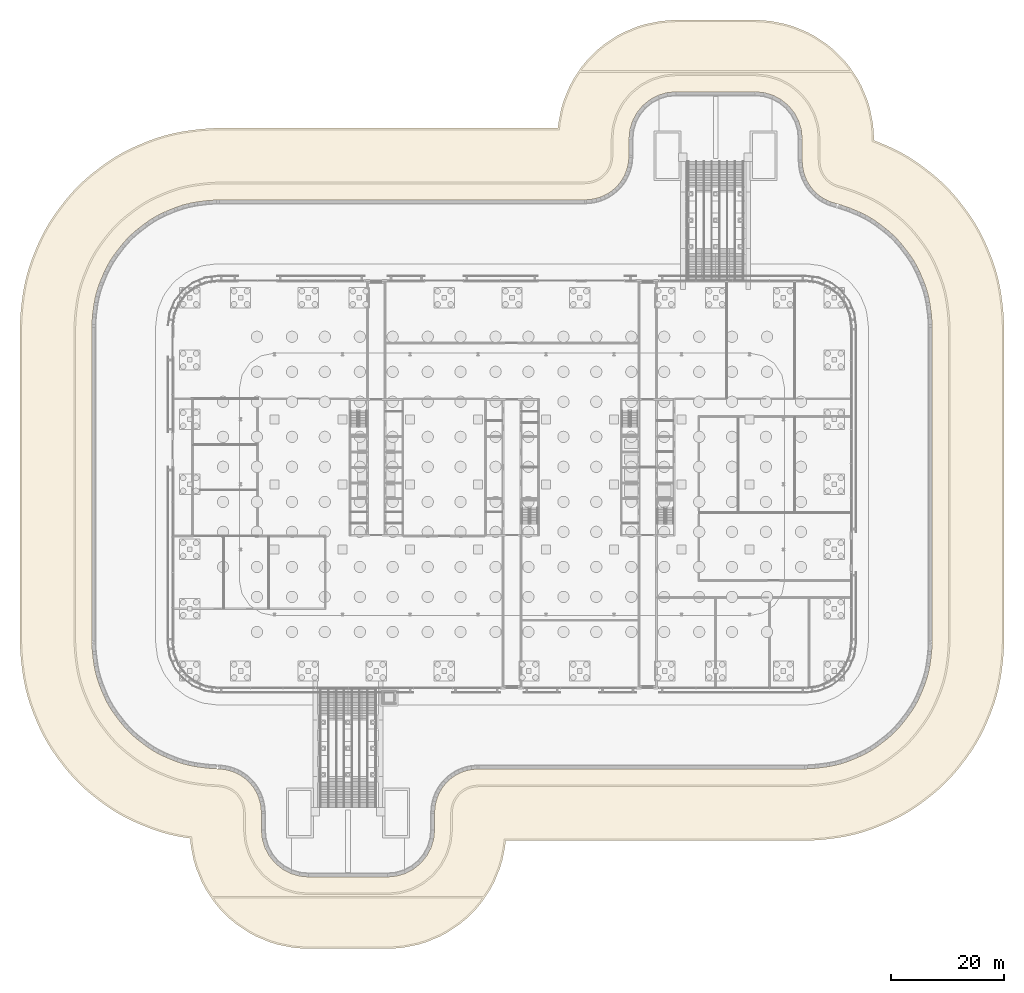
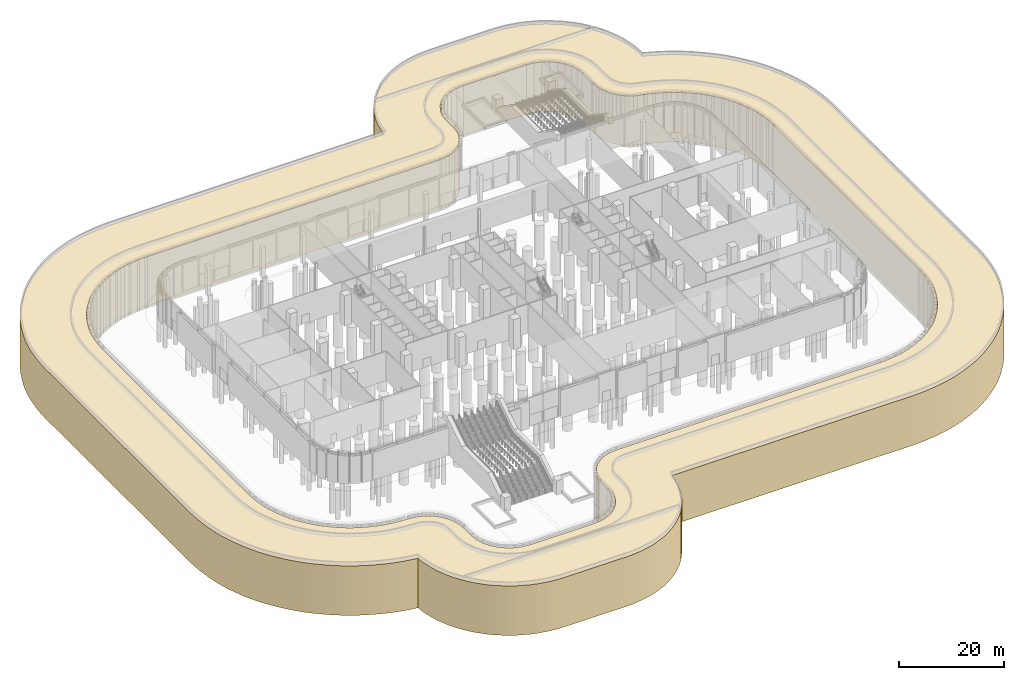
# One storey, part 43 of 48: 1 covering.
"""IFC4 building model written with IfcOpenShell, lengths in metres."""

import ifcopenshell
import ifcopenshell.guid

model = None  # the IFC model being written
_history = None  # IfcOwnerHistory: only IFC2X3 demands one
_inside = {}  # id of a spatial element -> (the spatial element, [elements in it])
_under = {}  # id of a project, library or spatial element -> (it, [spatial elements below it])
_declared = {}  # id of a project -> (the project, [libraries it declares])
_typed = {}  # id of a type object -> (the type object, [elements of that type])
_made_of = {}  # id of a material, layer set ... -> (it, [elements and type objects made of it])


def new_model(schema):
    """Start an empty IFC model of exactly this schema.

    Asked for "IFC4X3", IfcOpenShell would pick the latest addendum, in which some entities
    have other attributes; the version numbers below select the first issue.
    IFC2X3 requires an IfcOwnerHistory on every rooted entity: one is made here for all.
    """
    global model, _history
    if schema == "IFC4X3":
        model = ifcopenshell.file(schema_version=(4, 3, 0, 0))
    else:
        model = ifcopenshell.file(schema=schema)
    _inside.clear()
    _under.clear()
    _declared.clear()
    _typed.clear()
    _made_of.clear()
    _history = None
    if model.schema == "IFC2X3":
        org = make("IfcOrganization", Name="unknown")
        user = make(
            "IfcPersonAndOrganization",
            ThePerson=make("IfcPerson", FamilyName="unknown"),
            TheOrganization=org,
        )
        app = make(
            "IfcApplication",
            ApplicationDeveloper=org,
            Version="unknown",
            ApplicationFullName="unknown",
            ApplicationIdentifier="unknown",
        )
        _history = make(
            "IfcOwnerHistory",
            OwningUser=user,
            OwningApplication=app,
            ChangeAction="ADDED",
            CreationDate=0,
        )
    return model


def make(cls, **values):
    """One entity of the class cls with the attributes given. An attribute that is None is left unset."""
    return model.create_entity(
        cls, **{name: value for name, value in values.items() if value is not None}
    )


def rooted(cls, **values):
    """An entity with a GlobalId (a new one), such as an element, a storey or a relation."""
    return make(cls, GlobalId=ifcopenshell.guid.new(), OwnerHistory=_history, **values)


def si_unit(unit_type, name, prefix=None):
    """IfcSIUnit, for example si_unit("LENGTHUNIT", "METRE", prefix="MILLI")."""
    return make("IfcSIUnit", UnitType=unit_type, Prefix=prefix, Name=name)


def assignment(units):
    """IfcUnitAssignment: the units of a project."""
    return None if units is None else make("IfcUnitAssignment", Units=units)


def point(xyz):
    """IfcCartesianPoint."""
    return None if xyz is None else make("IfcCartesianPoint", Coordinates=xyz)


def direction(xyz):
    """IfcDirection."""
    return None if xyz is None else make("IfcDirection", DirectionRatios=xyz)


def frame(location, z_axis=None, x_axis=None):
    """IfcAxis2Placement3D, a coordinate frame: its origin and axes. An axis left out is left unset."""
    return make(
        "IfcAxis2Placement3D",
        Location=point(location),
        Axis=direction(z_axis),
        RefDirection=direction(x_axis),
    )


def origin():
    """The frame at (0, 0, 0) with its axes left unset."""
    return frame((0.0, 0.0, 0.0))


def place(relative_to, where):
    """IfcLocalPlacement: puts the frame where relative to a parent placement (None: the world)."""
    return make(
        "IfcLocalPlacement", PlacementRelTo=relative_to, RelativePlacement=where
    )


def context(
    kind, dimensions, precision=None, world=None, true_north=None, identifier=None
):
    """IfcGeometricRepresentationContext, for example the 3D "Model" context."""
    return make(
        "IfcGeometricRepresentationContext",
        ContextIdentifier=identifier,
        ContextType=kind,
        CoordinateSpaceDimension=dimensions,
        Precision=precision,
        WorldCoordinateSystem=world,
        TrueNorth=true_north,
    )


def subcontext(parent, identifier, kind, view, scale=None):
    """IfcGeometricRepresentationSubContext, for example "Body" below "Model"."""
    return make(
        "IfcGeometricRepresentationSubContext",
        ContextIdentifier=identifier,
        ContextType=kind,
        ParentContext=parent,
        TargetScale=scale,
        TargetView=view,
    )


def project(units=None, contexts=None):
    """IfcProject with its units and contexts."""
    return rooted(
        "IfcProject",
        Name="project",
        RepresentationContexts=contexts,
        UnitsInContext=assignment(units),
    )


def spatial(cls, under=None, at=None, **own):
    """A site, building, storey or space (cls), placed at a placement, below another one or the project."""
    s = rooted(cls, ObjectPlacement=at, **own)
    if under is not None:
        _under.setdefault(under.id(), (under, []))[1].append(s)
    return s


def polyline(points):
    """IfcPolyline through the points."""
    return make("IfcPolyline", Points=[point(p) for p in points])


def outline(outer, holes=None, kind="AREA"):
    """IfcArbitraryClosedProfileDef: a profile drawn as a closed curve; with holes, ...WithVoids."""
    if holes is None:
        return make("IfcArbitraryClosedProfileDef", ProfileType=kind, OuterCurve=outer)
    return make(
        "IfcArbitraryProfileDefWithVoids",
        ProfileType=kind,
        OuterCurve=outer,
        InnerCurves=holes,
    )


def extrude(swept, where, along, depth):
    """IfcExtrudedAreaSolid: the profile swept, set in the frame where, extruded along a direction by depth."""
    return make(
        "IfcExtrudedAreaSolid",
        SweptArea=swept,
        Position=where,
        ExtrudedDirection=direction(along),
        Depth=depth,
    )


def shape(context_of_items, identifier, shape_type, items):
    """IfcShapeRepresentation: the items that make up one representation, for example the "Body"."""
    return make(
        "IfcShapeRepresentation",
        ContextOfItems=context_of_items,
        RepresentationIdentifier=identifier,
        RepresentationType=shape_type,
        Items=items,
    )


def material(Name=None, Category=None):
    """IfcMaterial."""
    return make("IfcMaterial", Name=Name, Category=Category)


def layer(
    of_material, thickness, ventilated=None, Name=None, Category=None, Priority=None
):
    """IfcMaterialLayer: one layer of a wall or slab, of a material (None: an air gap)."""
    return make(
        "IfcMaterialLayer",
        Material=of_material,
        LayerThickness=thickness,
        IsVentilated=ventilated,
        Name=Name,
        Category=Category,
        Priority=Priority,
    )


def layer_set(layers, Name=None):
    """IfcMaterialLayerSet."""
    return make("IfcMaterialLayerSet", MaterialLayers=layers, LayerSetName=Name)


def made_of(thing, what):
    """Note that an element or type object is made of a material, layer set ...; save() writes the relation."""
    if what is not None:
        _made_of.setdefault(what.id(), (what, []))[1].append(thing)
    return thing


def type_object(cls, material=None, **own):
    """A type object (cls), such as IfcWallType, which elements share."""
    return made_of(rooted(cls, **own), material)


def element(
    cls,
    number,
    at=None,
    inside=None,
    cuts=None,
    type_object=None,
    material=None,
    context=None,
    identifier="Body",
    shape_type=None,
    held_by="IfcProductDefinitionShape",
    body=None,
    shapes=None,
    **own,
):
    """One element of the class cls, such as IfcWall. Its Tag is "e" and its number.

    at: its placement. inside: the storey or other place that contains it. cuts: it is an
    opening in that element (IfcRelVoidsElement). A single representation is given by context,
    identifier, shape_type and body (its items); several are given by shapes. held_by: the class
    of the entity that holds the representations. save() writes the other relations.
    """
    e = rooted(cls, Tag="e%d" % number, ObjectPlacement=at, **own)
    if body is not None:
        shapes = [shape(context, identifier, shape_type, body)]
    if shapes is not None:
        e.Representation = make(held_by, Representations=shapes)
    if inside is not None:
        _inside.setdefault(inside.id(), (inside, []))[1].append(e)
    if cuts is not None:
        rooted(
            "IfcRelVoidsElement", RelatingBuildingElement=cuts, RelatedOpeningElement=e
        )
    if type_object is not None:
        _typed.setdefault(type_object.id(), (type_object, []))[1].append(e)
    return made_of(e, material)


def aggregate(whole, parts):
    """IfcRelAggregates: a whole, such as a stair, and the parts it consists of."""
    return rooted("IfcRelAggregates", RelatingObject=whole, RelatedObjects=parts)


def save(model, path):
    """Write the relations noted so far, then the file.

    IfcRelAggregates (storeys below a building ...), IfcRelContainedInSpatialStructure (elements
    in a storey), IfcRelDefinesByType, IfcRelAssociatesMaterial and IfcRelDeclares: one each for
    every whole, place, type object, material and project.
    """
    for whole, parts in _under.values():
        aggregate(whole, parts)
    for where, things in _inside.values():
        rooted(
            "IfcRelContainedInSpatialStructure",
            RelatedElements=things,
            RelatingStructure=where,
        )
    for kind, things in _typed.values():
        rooted("IfcRelDefinesByType", RelatedObjects=things, RelatingType=kind)
    for what, things in _made_of.values():
        rooted("IfcRelAssociatesMaterial", RelatedObjects=things, RelatingMaterial=what)
    for by, libraries in _declared.values():
        rooted("IfcRelDeclares", RelatingContext=by, RelatedDefinitions=libraries)
    model.write(path)


model = new_model("IFC4")

# Units and contexts
model_context = context("Model", 3, precision=1e-05, world=origin(), true_north=direction((0.0, 1.0)))
body_context = subcontext(model_context, "Body", "Model", "MODEL_VIEW")
ifc_project = project(units=[si_unit("LENGTHUNIT", "METRE"), si_unit("AREAUNIT", "SQUARE_METRE"), si_unit("VOLUMEUNIT", "CUBIC_METRE"), si_unit("PLANEANGLEUNIT", "RADIAN"), si_unit("MASSUNIT", "GRAM", prefix="KILO")], contexts=[model_context])

# Site, building, storey
site_placement = place(None, origin())
site = spatial("IfcSite", under=ifc_project, at=site_placement, CompositionType="ELEMENT")
building_placement = place(site_placement, origin())
building = spatial("IfcBuilding", under=site, at=building_placement, Name="Mahtab Terrace Research Tower", CompositionType="ELEMENT")
storey_placement = place(building_placement, origin())
storey = spatial("IfcBuildingStorey", under=building, at=storey_placement, Name="G", CompositionType="ELEMENT", Elevation=0.0)

# Covering
ifc_material = material(Name="Compacted subgrade fill")
ifc_layer = layer(ifc_material, 11.550048828125)
ifc_layer_set = layer_set([ifc_layer], Name="Site subgrade and fill 11550")
covering_type = type_object("IfcCoveringType", Name="Site subgrade and fill 11550", PredefinedType="FLOORING", material=ifc_layer_set)
covering_placement = place(storey_placement, frame((0.0, 0.0, -12.25)))
element("IfcCovering", 1, at=covering_placement, inside=storey, type_object=covering_type, Name="Site subgrade and fill 1", PredefinedType="FLOORING", context=body_context, shape_type="SweptSolid", body=[
    extrude(outline(polyline([(-85.637939453125, 37.556884765625), (-85.39111328125, 38.37109375), (-85.054931640625, 39.360107421875), (-84.912109375, 39.760009765625), (-84.72802734375, 40.25), (-84.572021484375, 40.64501953125), (-83.972900390625, 42.091064453125), (-83.803955078125, 42.48095703125), (-83.587890625, 42.95703125), (-83.406005859375, 43.342041015625), (-82.944091796875, 44.278076171875), (-82.5439453125, 45.028076171875), (-82.02099609375, 45.93408203125), (-81.572021484375, 46.656005859375), (-80.991943359375, 47.52392578125), (-80.75, 47.8740234375), (-80.445068359375, 48.299072265625), (-80.19189453125, 48.64111328125), (-79.239990234375, 49.882080078125), (-78.97509765625, 50.216064453125), (-78.64306640625, 50.62109375), (-78.366943359375, 50.946044921875), (-77.677001953125, 51.73193359375), (-77.094970703125, 52.35400390625), (-76.35400390625, 53.094970703125), (-75.73193359375, 53.677001953125), (-74.945068359375, 54.366943359375), (-74.62109375, 54.64306640625), (-74.215087890625, 54.97509765625), (-73.882080078125, 55.239990234375), (-72.639892578125, 56.19189453125), (-72.299072265625, 56.445068359375), (-71.8740234375, 56.75), (-71.52392578125, 56.991943359375), (-70.656005859375, 57.572021484375), (-69.93408203125, 58.02099609375), (-69.028076171875, 58.5439453125), (-68.278076171875, 58.944091796875), (-67.341064453125, 59.406005859375), (-66.95703125, 59.587890625), (-66.47998046875, 59.803955078125), (-66.090087890625, 59.972900390625), (-64.64501953125, 60.572021484375), (-64.25, 60.72802734375), (-63.760009765625, 60.912109375), (-63.360107421875, 61.054931640625), (-62.37109375, 61.39111328125), (-61.556884765625, 61.637939453125), (-60.547119140625, 61.908935546875), (-59.718994140625, 62.10205078125), (-58.695068359375, 62.305908203125), (-58.277099609375, 62.382080078125), (-57.760986328125, 62.467041015625), (-57.340087890625, 62.530029296875), (-55.7880859375, 62.73388671875), (-55.364990234375, 62.782958984375), (-54.843994140625, 62.833984375), (-54.4189453125, 62.868896484375), (-53.113037109375, 62.955078125), (-52.68701171875, 62.97607421875), (-52.1640625, 62.992919921875), (-51.738037109375, 63.0), (8.123046875, 63.0), (8.216064453125, 63.949951171875), (8.712890625, 66.448974609375), (9.1689453125, 67.949951171875), (10.14404296875, 70.304931640625), (10.883056640625, 71.68798828125), (12.299072265625, 73.806884765625), (13.2939453125, 75.01904296875), (15.095947265625, 76.821044921875), (16.30810546875, 77.81591796875), (18.427001953125, 79.23193359375), (19.81005859375, 79.970947265625), (22.1650390625, 80.946044921875), (23.666015625, 81.402099609375), (26.1650390625, 81.89892578125), (27.72607421875, 82.052001953125), (29.0, 82.114990234375), (43.0, 82.114990234375), (44.27392578125, 82.052001953125), (45.8349609375, 81.89892578125), (48.333984375, 81.402099609375), (49.8349609375, 80.946044921875), (52.18994140625, 79.970947265625), (53.572998046875, 79.23193359375), (55.69189453125, 77.81591796875), (56.904052734375, 76.821044921875), (58.7060546875, 75.01904296875), (59.700927734375, 73.806884765625), (61.116943359375, 71.68798828125), (61.85595703125, 70.304931640625), (62.8310546875, 67.949951171875), (63.287109375, 66.448974609375), (63.783935546875, 63.949951171875), (63.93701171875, 62.388916015625), (64.0, 61.114990234375), (64.0, 60.822021484375), (64.25, 60.72802734375), (64.64501953125, 60.572021484375), (66.091064453125, 59.972900390625), (66.48095703125, 59.803955078125), (66.95703125, 59.587890625), (67.342041015625, 59.406005859375), (68.278076171875, 58.944091796875), (69.028076171875, 58.5439453125), (69.93408203125, 58.02099609375), (70.656005859375, 57.572021484375), (71.52392578125, 56.991943359375), (71.8740234375, 56.75), (72.299072265625, 56.445068359375), (72.64111328125, 56.19189453125), (73.882080078125, 55.239990234375), (74.216064453125, 54.97509765625), (74.62109375, 54.64306640625), (74.946044921875, 54.366943359375), (75.73193359375, 53.677001953125), (76.35400390625, 53.094970703125), (77.094970703125, 52.35400390625), (77.677001953125, 51.73193359375), (78.366943359375, 50.945068359375), (78.64306640625, 50.62109375), (78.97509765625, 50.215087890625), (79.239990234375, 49.882080078125), (80.19189453125, 48.639892578125), (80.445068359375, 48.299072265625), (80.75, 47.8740234375), (80.991943359375, 47.52392578125), (81.572021484375, 46.656005859375), (82.02099609375, 45.93408203125), (82.5439453125, 45.028076171875), (82.944091796875, 44.278076171875), (83.406005859375, 43.341064453125), (83.587890625, 42.95703125), (83.803955078125, 42.47998046875), (83.972900390625, 42.090087890625), (84.572021484375, 40.64501953125), (84.72802734375, 40.25), (84.912109375, 39.760009765625), (85.054931640625, 39.360107421875), (85.39111328125, 38.37109375), (85.637939453125, 37.556884765625), (85.908935546875, 36.547119140625), (86.10205078125, 35.718994140625), (86.305908203125, 34.695068359375), (86.382080078125, 34.277099609375), (86.467041015625, 33.760986328125), (86.530029296875, 33.340087890625), (86.73388671875, 31.7880859375), (86.782958984375, 31.364990234375), (86.833984375, 30.843994140625), (86.868896484375, 30.4189453125), (86.955078125, 29.113037109375), (86.97607421875, 28.68701171875), (86.992919921875, 28.1640625), (87.0, 27.738037109375), (87.0, -27.738037109375), (86.992919921875, -28.1640625), (86.97607421875, -28.68798828125), (86.955078125, -29.113037109375), (86.868896484375, -30.4189453125), (86.833984375, -30.843994140625), (86.782958984375, -31.365966796875), (86.73388671875, -31.7890625), (86.530029296875, -33.340087890625), (86.467041015625, -33.760986328125), (86.382080078125, -34.277099609375), (86.305908203125, -34.695068359375), (86.10205078125, -35.718994140625), (85.908935546875, -36.547119140625), (85.637939453125, -37.556884765625), (85.39111328125, -38.37109375), (85.054931640625, -39.360107421875), (84.912109375, -39.760009765625), (84.72802734375, -40.25), (84.572021484375, -40.64501953125), (83.972900390625, -42.091064453125), (83.803955078125, -42.48095703125), (83.587890625, -42.95703125), (83.406005859375, -43.342041015625), (82.944091796875, -44.278076171875), (82.5439453125, -45.028076171875), (82.02099609375, -45.93408203125), (81.572021484375, -46.656005859375), (80.991943359375, -47.52392578125), (80.75, -47.8740234375), (80.445068359375, -48.299072265625), (80.19189453125, -48.64111328125), (79.239990234375, -49.882080078125), (78.97509765625, -50.216064453125), (78.64306640625, -50.62109375), (78.366943359375, -50.946044921875), (77.677001953125, -51.73193359375), (77.094970703125, -52.35400390625), (76.35400390625, -53.094970703125), (75.73193359375, -53.677001953125), (74.945068359375, -54.366943359375), (74.62109375, -54.64306640625), (74.215087890625, -54.97509765625), (73.882080078125, -55.239990234375), (72.639892578125, -56.19189453125), (72.299072265625, -56.445068359375), (71.8740234375, -56.75), (71.52392578125, -56.991943359375), (70.656005859375, -57.572021484375), (69.93408203125, -58.02099609375), (69.028076171875, -58.5439453125), (68.278076171875, -58.944091796875), (67.341064453125, -59.406005859375), (66.95703125, -59.587890625), (66.47998046875, -59.803955078125), (66.090087890625, -59.972900390625), (64.64501953125, -60.572021484375), (64.25, -60.72802734375), (63.760009765625, -60.912109375), (63.360107421875, -61.054931640625), (62.37109375, -61.39111328125), (61.556884765625, -61.637939453125), (60.547119140625, -61.908935546875), (59.718994140625, -62.10205078125), (58.695068359375, -62.305908203125), (58.277099609375, -62.382080078125), (57.760986328125, -62.467041015625), (57.340087890625, -62.530029296875), (55.7880859375, -62.73388671875), (55.364990234375, -62.782958984375), (54.843994140625, -62.833984375), (54.4189453125, -62.868896484375), (53.113037109375, -62.955078125), (52.68701171875, -62.97607421875), (52.1640625, -62.992919921875), (51.738037109375, -63.0), (-1.123046875, -63.0), (-1.216064453125, -63.949951171875), (-1.712890625, -66.448974609375), (-2.1689453125, -67.949951171875), (-3.14404296875, -70.304931640625), (-3.883056640625, -71.68798828125), (-5.299072265625, -73.806884765625), (-6.2939453125, -75.01904296875), (-8.095947265625, -76.821044921875), (-9.30810546875, -77.81591796875), (-11.427001953125, -79.23193359375), (-12.81005859375, -79.970947265625), (-15.1650390625, -80.946044921875), (-16.666015625, -81.402099609375), (-19.1650390625, -81.89892578125), (-20.72607421875, -82.052001953125), (-22.0, -82.114990234375), (-36.0, -82.114990234375), (-37.27392578125, -82.052001953125), (-38.8349609375, -81.89892578125), (-41.333984375, -81.402099609375), (-42.8349609375, -80.946044921875), (-45.18994140625, -79.970947265625), (-46.572998046875, -79.23193359375), (-48.69189453125, -77.81591796875), (-49.904052734375, -76.821044921875), (-51.7060546875, -75.01904296875), (-52.700927734375, -73.806884765625), (-54.116943359375, -71.68798828125), (-54.85595703125, -70.304931640625), (-55.8310546875, -67.949951171875), (-56.287109375, -66.448974609375), (-56.783935546875, -63.949951171875), (-56.91796875, -62.5849609375), (-57.340087890625, -62.530029296875), (-57.760986328125, -62.467041015625), (-58.277099609375, -62.382080078125), (-58.695068359375, -62.305908203125), (-59.718994140625, -62.10205078125), (-60.547119140625, -61.908935546875), (-61.556884765625, -61.637939453125), (-62.37109375, -61.39111328125), (-63.360107421875, -61.054931640625), (-63.760009765625, -60.912109375), (-64.25, -60.72802734375), (-64.64501953125, -60.572021484375), (-66.091064453125, -59.972900390625), (-66.48095703125, -59.803955078125), (-66.95703125, -59.587890625), (-67.342041015625, -59.406005859375), (-68.278076171875, -58.944091796875), (-69.028076171875, -58.5439453125), (-69.93408203125, -58.02099609375), (-70.656005859375, -57.572021484375), (-71.52392578125, -56.991943359375), (-71.8740234375, -56.75), (-72.299072265625, -56.445068359375), (-72.64111328125, -56.19189453125), (-73.882080078125, -55.239990234375), (-74.216064453125, -54.97509765625), (-74.62109375, -54.64306640625), (-74.946044921875, -54.366943359375), (-75.73193359375, -53.677001953125), (-76.35400390625, -53.094970703125), (-77.094970703125, -52.35400390625), (-77.677001953125, -51.73193359375), (-78.366943359375, -50.945068359375), (-78.64306640625, -50.62109375), (-78.97509765625, -50.215087890625), (-79.239990234375, -49.882080078125), (-80.19189453125, -48.639892578125), (-80.445068359375, -48.299072265625), (-80.75, -47.8740234375), (-80.991943359375, -47.52392578125), (-81.572021484375, -46.656005859375), (-82.02099609375, -45.93408203125), (-82.5439453125, -45.028076171875), (-82.944091796875, -44.278076171875), (-83.406005859375, -43.341064453125), (-83.587890625, -42.95703125), (-83.803955078125, -42.47998046875), (-83.972900390625, -42.090087890625), (-84.572021484375, -40.64501953125), (-84.72802734375, -40.25), (-84.912109375, -39.760009765625), (-85.054931640625, -39.360107421875), (-85.39111328125, -38.37109375), (-85.637939453125, -37.556884765625), (-85.908935546875, -36.547119140625), (-86.10205078125, -35.718994140625), (-86.305908203125, -34.695068359375), (-86.382080078125, -34.277099609375), (-86.467041015625, -33.760986328125), (-86.530029296875, -33.340087890625), (-86.73388671875, -31.7880859375), (-86.782958984375, -31.364990234375), (-86.833984375, -30.843994140625), (-86.868896484375, -30.4189453125), (-86.955078125, -29.113037109375), (-86.97607421875, -28.68701171875), (-86.992919921875, -28.1640625), (-87.0, -27.738037109375), (-87.0, 27.738037109375), (-86.992919921875, 28.1640625), (-86.97607421875, 28.68798828125), (-86.955078125, 29.113037109375), (-86.868896484375, 30.4189453125), (-86.833984375, 30.843994140625), (-86.782958984375, 31.365966796875), (-86.73388671875, 31.7890625), (-86.530029296875, 33.340087890625), (-86.467041015625, 33.760986328125), (-86.382080078125, 34.277099609375), (-86.305908203125, 34.695068359375), (-86.10205078125, 35.718994140625), (-85.908935546875, 36.547119140625), (-85.637939453125, 37.556884765625)]), holes=[polyline([(-73.85107421875, 32.2109375), (-73.93798828125, 31.68505859375), (-74.14404296875, 30.1240234375), (-74.196044921875, 29.593017578125), (-74.282958984375, 28.277099609375), (-74.300048828125, 27.742919921875), (-74.300048828125, -27.742919921875), (-74.282958984375, -28.27587890625), (-74.196044921875, -29.592041015625), (-74.14404296875, -30.1240234375), (-73.93798828125, -31.68505859375), (-73.85107421875, -32.2109375), (-73.64404296875, -33.25), (-73.367919921875, -34.279052734375), (-73.028076171875, -35.281982421875), (-72.840087890625, -35.780029296875), (-72.238037109375, -37.235107421875), (-72.01806640625, -37.719970703125), (-71.549072265625, -38.669921875), (-71.01708984375, -39.593017578125), (-70.428955078125, -40.47412109375), (-70.117919921875, -40.906982421875), (-69.159912109375, -42.156005859375), (-68.821044921875, -42.569091796875), (-68.1220703125, -43.366943359375), (-67.366943359375, -44.1220703125), (-66.569091796875, -44.821044921875), (-66.156005859375, -45.159912109375), (-64.906982421875, -46.117919921875), (-64.47412109375, -46.428955078125), (-63.593017578125, -47.01708984375), (-62.669921875, -47.549072265625), (-61.720947265625, -48.01806640625), (-61.235107421875, -48.238037109375), (-59.781005859375, -48.840087890625), (-59.281982421875, -49.028076171875), (-58.279052734375, -49.367919921875), (-57.25, -49.64404296875), (-56.2109375, -49.85107421875), (-55.68505859375, -49.93798828125), (-54.1240234375, -50.14404296875), (-53.593017578125, -50.196044921875), (-52.279052734375, -50.281982421875), (-52.011962890625, -50.294921875), (-51.947021484375, -50.298095703125), (-51.5791015625, -50.326904296875), (-50.64892578125, -50.447998046875), (-49.930908203125, -50.612060546875), (-49.23095703125, -50.844970703125), (-48.556884765625, -51.14404296875), (-47.9150390625, -51.506103515625), (-47.31103515625, -51.927978515625), (-46.75, -52.406005859375), (-46.237060546875, -52.93603515625), (-45.778076171875, -53.511962890625), (-45.3759765625, -54.1298828125), (-45.034912109375, -54.783935546875), (-44.758056640625, -55.467041015625), (-44.549072265625, -56.174072265625), (-44.407958984375, -56.89794921875), (-44.318115234375, -57.830078125), (-44.300048828125, -58.199951171875), (-44.300048828125, -61.1298828125), (-44.14208984375, -62.735107421875), (-43.669921875, -64.2919921875), (-42.902099609375, -65.72705078125), (-41.8701171875, -66.985107421875), (-40.612060546875, -68.01708984375), (-39.177001953125, -68.784912109375), (-37.6201171875, -69.257080078125), (-36.014892578125, -69.4150390625), (-21.985107421875, -69.4150390625), (-20.3798828125, -69.257080078125), (-18.822998046875, -68.784912109375), (-17.387939453125, -68.01708984375), (-16.1298828125, -66.985107421875), (-15.097900390625, -65.72705078125), (-14.330078125, -64.2919921875), (-13.85791015625, -62.735107421875), (-13.699951171875, -61.1298828125), (-13.699951171875, -58.2041015625), (-13.680908203125, -57.826904296875), (-13.587890625, -56.8740234375), (-13.44091796875, -56.135986328125), (-13.221923828125, -55.416015625), (-12.93408203125, -54.719970703125), (-12.5791015625, -54.055908203125), (-12.160888671875, -53.430908203125), (-11.68408203125, -52.84912109375), (-11.15087890625, -52.31591796875), (-10.569091796875, -51.839111328125), (-9.944091796875, -51.4208984375), (-9.280029296875, -51.06591796875), (-8.583984375, -50.778076171875), (-7.864013671875, -50.55908203125), (-7.1259765625, -50.412109375), (-6.173095703125, -50.319091796875), (-5.7958984375, -50.300048828125), (51.742919921875, -50.300048828125), (52.27587890625, -50.282958984375), (53.592041015625, -50.196044921875), (54.1240234375, -50.14404296875), (55.68505859375, -49.93798828125), (56.2109375, -49.85107421875), (57.25, -49.64404296875), (58.279052734375, -49.367919921875), (59.281982421875, -49.028076171875), (59.780029296875, -48.840087890625), (61.235107421875, -48.238037109375), (61.719970703125, -48.01806640625), (62.669921875, -47.549072265625), (63.593017578125, -47.01708984375), (64.47412109375, -46.428955078125), (64.906982421875, -46.117919921875), (66.156005859375, -45.159912109375), (66.569091796875, -44.821044921875), (67.366943359375, -44.1220703125), (68.1220703125, -43.366943359375), (68.821044921875, -42.569091796875), (69.159912109375, -42.156005859375), (70.117919921875, -40.906982421875), (70.428955078125, -40.47412109375), (71.01708984375, -39.593017578125), (71.549072265625, -38.669921875), (72.01806640625, -37.720947265625), (72.238037109375, -37.235107421875), (72.840087890625, -35.781005859375), (73.028076171875, -35.281982421875), (73.367919921875, -34.279052734375), (73.64404296875, -33.25), (73.85107421875, -32.2109375), (73.93798828125, -31.68505859375), (74.14404296875, -30.1240234375), (74.196044921875, -29.593017578125), (74.282958984375, -28.277099609375), (74.300048828125, -27.742919921875), (74.300048828125, 27.742919921875), (74.282958984375, 28.27587890625), (74.196044921875, 29.592041015625), (74.14404296875, 30.1240234375), (73.93798828125, 31.68505859375), (73.85107421875, 32.2109375), (73.64404296875, 33.25), (73.367919921875, 34.279052734375), (73.028076171875, 35.281982421875), (72.840087890625, 35.780029296875), (72.238037109375, 37.235107421875), (72.01806640625, 37.719970703125), (71.549072265625, 38.669921875), (71.01708984375, 39.593017578125), (70.428955078125, 40.47412109375), (70.117919921875, 40.906982421875), (69.159912109375, 42.156005859375), (68.821044921875, 42.569091796875), (68.1220703125, 43.366943359375), (67.366943359375, 44.1220703125), (66.569091796875, 44.821044921875), (66.156005859375, 45.159912109375), (64.906982421875, 46.117919921875), (64.47412109375, 46.428955078125), (63.593017578125, 47.01708984375), (62.669921875, 47.549072265625), (61.720947265625, 48.01806640625), (61.235107421875, 48.238037109375), (59.781005859375, 48.840087890625), (59.281982421875, 49.028076171875), (58.282958984375, 49.366943359375), (57.77294921875, 49.52197265625), (57.58203125, 49.572998046875), (57.4599609375, 49.60791015625), (56.4150390625, 49.925048828125), (55.719970703125, 50.212890625), (55.055908203125, 50.568115234375), (54.429931640625, 50.986083984375), (53.847900390625, 51.464111328125), (53.31591796875, 51.99609375), (52.839111328125, 52.577880859375), (52.419921875, 53.2041015625), (52.06591796875, 53.867919921875), (51.778076171875, 54.56298828125), (51.55908203125, 55.282958984375), (51.412109375, 56.02197265625), (51.319091796875, 56.97412109375), (51.300048828125, 57.35107421875), (51.300048828125, 61.1298828125), (51.14208984375, 62.735107421875), (50.669921875, 64.2919921875), (49.902099609375, 65.72705078125), (48.8701171875, 66.985107421875), (47.612060546875, 68.01708984375), (46.177001953125, 68.784912109375), (44.6201171875, 69.257080078125), (43.014892578125, 69.4150390625), (28.985107421875, 69.4150390625), (27.3798828125, 69.257080078125), (25.822998046875, 68.784912109375), (24.387939453125, 68.01708984375), (23.1298828125, 66.985107421875), (22.097900390625, 65.72705078125), (21.330078125, 64.2919921875), (20.85791015625, 62.735107421875), (20.699951171875, 61.1298828125), (20.699951171875, 58.2041015625), (20.680908203125, 57.826904296875), (20.587890625, 56.8740234375), (20.44091796875, 56.135986328125), (20.221923828125, 55.416015625), (19.93408203125, 54.719970703125), (19.5791015625, 54.055908203125), (19.160888671875, 53.430908203125), (18.68408203125, 52.84912109375), (18.15087890625, 52.31591796875), (17.569091796875, 51.839111328125), (16.944091796875, 51.4208984375), (16.280029296875, 51.06591796875), (15.583984375, 50.778076171875), (14.864013671875, 50.55908203125), (14.1259765625, 50.412109375), (13.173095703125, 50.319091796875), (12.7958984375, 50.300048828125), (-51.742919921875, 50.300048828125), (-52.27587890625, 50.282958984375), (-53.592041015625, 50.196044921875), (-54.1240234375, 50.14404296875), (-55.68505859375, 49.93798828125), (-56.2109375, 49.85107421875), (-57.25, 49.64404296875), (-58.279052734375, 49.367919921875), (-59.281982421875, 49.028076171875), (-59.780029296875, 48.840087890625), (-61.235107421875, 48.238037109375), (-61.719970703125, 48.01806640625), (-62.669921875, 47.549072265625), (-63.593017578125, 47.01708984375), (-64.47412109375, 46.428955078125), (-64.906982421875, 46.117919921875), (-66.156005859375, 45.159912109375), (-66.569091796875, 44.821044921875), (-67.366943359375, 44.1220703125), (-68.1220703125, 43.366943359375), (-68.821044921875, 42.569091796875), (-69.159912109375, 42.156005859375), (-70.117919921875, 40.906982421875), (-70.428955078125, 40.47412109375), (-71.01708984375, 39.593017578125), (-71.549072265625, 38.669921875), (-72.01806640625, 37.720947265625), (-72.238037109375, 37.235107421875), (-72.840087890625, 35.781005859375), (-73.028076171875, 35.281982421875), (-73.367919921875, 34.279052734375), (-73.64404296875, 33.25), (-73.85107421875, 32.2109375)])]), origin(), (0.0, 0.0, 1.0), 11.550048828125),
])

save(model, "model.ifc")
